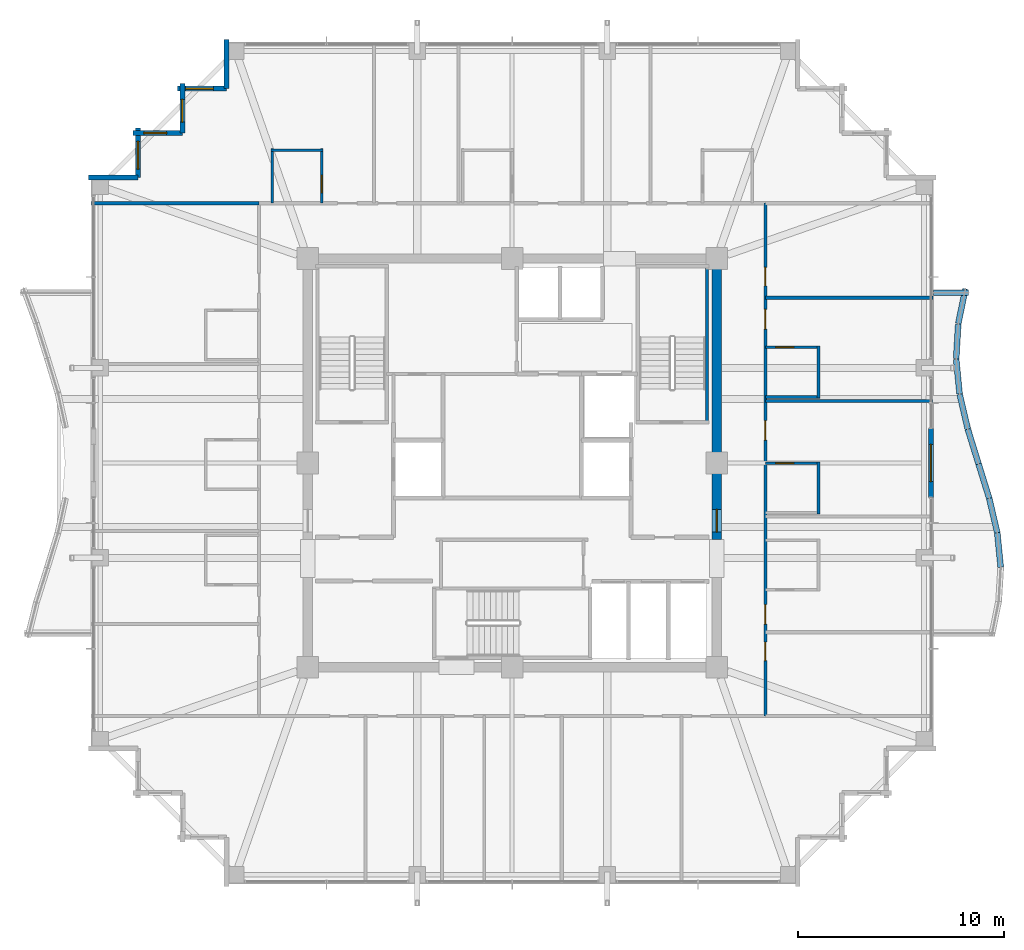
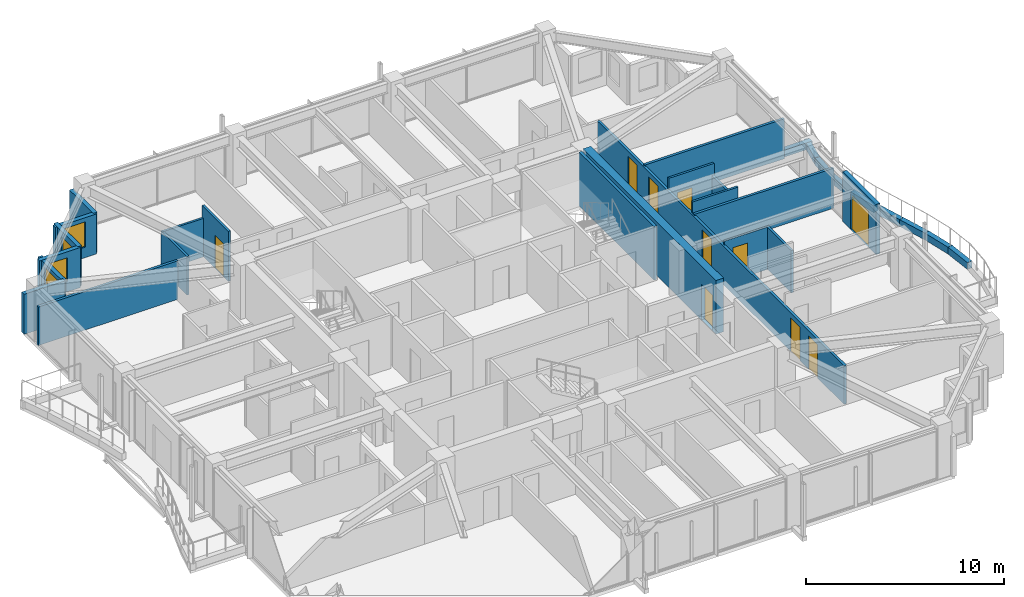
# One storey, part 32 of 35: 30 walls, 10 doors, 4 windows, 14 openings.
"""IFC4 building model written with IfcOpenShell, lengths in metres."""

from ifc_helpers import new_model, si_unit, direction, frame, frame_2d, origin, place, context, subcontext, project, spatial, rectangle, extrude, material, layer, layer_set, type_object, element, fill, save


model = new_model("IFC4")

# Units and contexts
model_context = context("Model", 3, precision=1e-05, world=origin(), true_north=direction((0.0, 1.0)))
body_context = subcontext(model_context, "Body", "Model", "MODEL_VIEW")
ifc_project = project(units=[si_unit("LENGTHUNIT", "METRE"), si_unit("AREAUNIT", "SQUARE_METRE"), si_unit("VOLUMEUNIT", "CUBIC_METRE"), si_unit("PLANEANGLEUNIT", "RADIAN"), si_unit("MASSUNIT", "GRAM", prefix="KILO")], contexts=[model_context])

# Site, building, storey
site_placement = place(None, origin())
site = spatial("IfcSite", under=ifc_project, at=site_placement, CompositionType="ELEMENT")
building_placement = place(site_placement, origin())
building = spatial("IfcBuilding", under=site, at=building_placement, Name="Kolvaren Belvedere", CompositionType="ELEMENT")
storey_placement = place(building_placement, frame((0.0, 0.0, 216.300048828125)))
storey = spatial("IfcBuildingStorey", under=building, at=storey_placement, Name="L63", CompositionType="ELEMENT", Elevation=216.300048828125)

# Wall, opening, door
ifc_material_1 = material(Name="Concrete C50/60", Category="concrete")
ifc_layer_1 = layer(ifc_material_1, 0.449951171875)
ifc_layer_set_1 = layer_set([ifc_layer_1], Name="Concrete C50/60")
wall_type_1 = type_object("IfcWallType", Name="CW-CORE-450", PredefinedType="SHEAR", material=ifc_layer_set_1)
wall_1_placement = place(storey_placement, frame((9.89990234375, -3.699951171875, 0.0), z_axis=(0.0, 0.0, 1.0), x_axis=(0.0, 1.0, 0.0)))
wall_1 = element("IfcWall", 1, at=wall_1_placement, inside=storey, type_object=wall_type_1, Name="L63 East Core Shear Wall 2", PredefinedType="SHEAR", context=body_context, shape_type="SweptSolid", body=[
    extrude(rectangle(XDim=13.375, YDim=0.449951171875, at=frame_2d((6.6875, 0.0))), origin(), (0.0, 0.0, 1.0), 3.300048828125),
])
opening_1_placement = place(wall_1_placement, frame((0.35009765625, 0.0, 0.0)))
opening_1 = element("IfcOpeningElement", 2, at=opening_1_placement, cuts=wall_1, Name="Opening D-FD90", PredefinedType="OPENING", context=body_context, shape_type="SweptSolid", body=[
    extrude(rectangle(XDim=1.10009765625, YDim=2.199951171875, at=frame_2d((0.550048828125, 1.10009765625))), frame((0.0, 0.23486328125, 0.0), z_axis=(0.0, -1.0, 0.0), x_axis=(1.0, 0.0, 0.0)), (0.0, 0.0, 1.0), 0.469970703125),
])
ifc_material_2 = material(Name="Painted hollow stainless steel", Category="steel")
door_type_1 = type_object("IfcDoorType", Name="DR-FD90-1100", OperationType="NOTDEFINED", PredefinedType="DOOR", material=ifc_material_2)
door_1_placement = place(opening_1_placement, origin())
door_1 = element("IfcDoor", 3, at=door_1_placement, inside=storey, type_object=door_type_1, Name="L63 East Firefighting Lobby Fire Door", OperationType="SINGLE_SWING_RIGHT", OverallHeight=2.199951171875, OverallWidth=1.10009765625, PredefinedType="DOOR", context=body_context, shape_type="SweptSolid", body=[
    extrude(rectangle(XDim=1.10009765625, YDim=2.199951171875, at=frame_2d((0.550048828125, 1.10009765625))), frame((0.0, 0.02490234375, 0.0), z_axis=(0.0, -1.0, 0.0), x_axis=(1.0, 0.0, 0.0)), (0.0, 0.0, 1.0), 0.050048828125),
])
fill(opening_1, door_1)

# Wall
ifc_material_3 = material(Name="Concrete C50/60", Category="concrete")
ifc_layer_2 = layer(ifc_material_3, 0.159912109375)
ifc_layer_set_2 = layer_set([ifc_layer_2], Name="Concrete C50/60")
wall_type_2 = type_object("IfcWallType", Name="CW-STAIR-160", PredefinedType="SHEAR", material=ifc_layer_set_2)
wall_2_placement = place(storey_placement, frame((9.429931640625, 1.969970703125, 0.0), z_axis=(0.0, 0.0, 1.0), x_axis=(0.0, 1.0, 0.0)))
element("IfcWall", 4, at=wall_2_placement, inside=storey, type_object=wall_type_2, Name="L63 Stair ST-2 East Shear Wall", PredefinedType="SHEAR", context=body_context, shape_type="SweptSolid", body=[
    extrude(rectangle(XDim=7.56005859375, YDim=0.159912109375, at=frame_2d((3.780029296875, 0.0))), origin(), (0.0, 0.0, 1.0), 3.300048828125),
])

# Wall, openings, doors
ifc_material_4 = material(Name="Gypsum fire-rated partition assembly", Category="gypsum")
ifc_layer_3 = layer(ifc_material_4, 0.14990234375)
ifc_layer_set_3 = layer_set([ifc_layer_3], Name="Gypsum fire-rated partition assembly")
wall_type_3 = type_object("IfcWallType", Name="WL-CORR-150", PredefinedType="PARTITIONING", material=ifc_layer_set_3)
wall_3_placement = place(storey_placement, frame((12.260009765625, -12.260009765625, 0.0), z_axis=(0.0, 0.0, 1.0), x_axis=(0.0, 1.0, 0.0)))
wall_3 = element("IfcWall", 5, at=wall_3_placement, inside=storey, type_object=wall_type_3, Name="L63 East Corridor Wall", PredefinedType="PARTITIONING", context=body_context, shape_type="SweptSolid", body=[
    extrude(rectangle(XDim=24.840087890625, YDim=0.14990234375, at=frame_2d((12.419921875, 0.0))), origin(), (0.0, 0.0, 1.0), 2.368896484375),
])
opening_2_placement = place(wall_3_placement, frame((2.685546875, 0.0, 0.0)))
opening_2 = element("IfcOpeningElement", 6, at=opening_2_placement, cuts=wall_3, Name="Opening D-INT90", PredefinedType="OPENING", context=body_context, shape_type="SweptSolid", body=[
    extrude(rectangle(XDim=0.89990234375, YDim=2.06005859375, at=frame_2d((0.449951171875, 1.030029296875))), frame((0.0, 0.0849609375, 0.0), z_axis=(0.0, -1.0, 0.0), x_axis=(1.0, 0.0, 0.0)), (0.0, 0.0, 1.0), 0.169921875),
])
opening_3_placement = place(wall_3_placement, frame((4.44921875, 0.0, 0.0)))
opening_3 = element("IfcOpeningElement", 7, at=opening_3_placement, cuts=wall_3, Name="Opening D-FD60", PredefinedType="OPENING", context=body_context, shape_type="SweptSolid", body=[
    extrude(rectangle(XDim=0.949951171875, YDim=2.06005859375, at=frame_2d((0.47509765625, 1.030029296875))), frame((0.0, 0.0849609375, 0.0), z_axis=(0.0, -1.0, 0.0), x_axis=(1.0, 0.0, 0.0)), (0.0, 0.0, 1.0), 0.169921875),
])
opening_4_placement = place(wall_3_placement, frame((13.360595703125, 0.0, 0.0)))
opening_4 = element("IfcOpeningElement", 8, at=opening_4_placement, cuts=wall_3, Name="Opening D-FD60", PredefinedType="OPENING", context=body_context, shape_type="SweptSolid", body=[
    extrude(rectangle(XDim=0.949951171875, YDim=2.06005859375, at=frame_2d((0.47509765625, 1.030029296875))), frame((0.0, 0.0849609375, 0.0), z_axis=(0.0, -1.0, 0.0), x_axis=(1.0, 0.0, 0.0)), (0.0, 0.0, 1.0), 0.169921875),
])
opening_5_placement = place(wall_3_placement, frame((18.748046875, 0.0, 0.0)))
opening_5 = element("IfcOpeningElement", 9, at=opening_5_placement, cuts=wall_3, Name="Opening D-FD60", PredefinedType="OPENING", context=body_context, shape_type="SweptSolid", body=[
    extrude(rectangle(XDim=0.949951171875, YDim=2.06005859375, at=frame_2d((0.47509765625, 1.030029296875))), frame((0.0, 0.0849609375, 0.0), z_axis=(0.0, -1.0, 0.0), x_axis=(1.0, 0.0, 0.0)), (0.0, 0.0, 1.0), 0.169921875),
])
opening_6_placement = place(wall_3_placement, frame((20.835693359375, 0.0, 0.0)))
opening_6 = element("IfcOpeningElement", 10, at=opening_6_placement, cuts=wall_3, Name="Opening D-INT90", PredefinedType="OPENING", context=body_context, shape_type="SweptSolid", body=[
    extrude(rectangle(XDim=0.89990234375, YDim=2.06005859375, at=frame_2d((0.449951171875, 1.030029296875))), frame((0.0, 0.0849609375, 0.0), z_axis=(0.0, -1.0, 0.0), x_axis=(1.0, 0.0, 0.0)), (0.0, 0.0, 1.0), 0.169921875),
])
ifc_material_5 = material(Name="Acoustic white-oak fire door leaf", Category="timber")
door_type_2 = type_object("IfcDoorType", Name="DR-FD60-950", OperationType="NOTDEFINED", PredefinedType="DOOR", material=ifc_material_5)
door_2_placement = place(opening_3_placement, origin())
door_2 = element("IfcDoor", 11, at=door_2_placement, inside=storey, type_object=door_type_2, Name="L63 King Guest Room 6306 Entry Door", OperationType="SINGLE_SWING_RIGHT", OverallHeight=2.06005859375, OverallWidth=0.949951171875, PredefinedType="DOOR", context=body_context, shape_type="SweptSolid", body=[
    extrude(rectangle(XDim=0.949951171875, YDim=2.06005859375, at=frame_2d((0.47509765625, 1.030029296875))), frame((0.0, 0.02490234375, 0.0), z_axis=(0.0, -1.0, 0.0), x_axis=(1.0, 0.0, 0.0)), (0.0, 0.0, 1.0), 0.050048828125),
])
fill(opening_3, door_2)
door_3_placement = place(opening_4_placement, origin())
door_3 = element("IfcDoor", 12, at=door_3_placement, inside=storey, type_object=door_type_2, Name="L63 Botanical Hospitality Suite 6307 Entry Door", OperationType="SINGLE_SWING_RIGHT", OverallHeight=2.06005859375, OverallWidth=0.949951171875, PredefinedType="DOOR", context=body_context, shape_type="SweptSolid", body=[
    extrude(rectangle(XDim=0.949951171875, YDim=2.06005859375, at=frame_2d((0.47509765625, 1.030029296875))), frame((0.0, 0.02490234375, 0.0), z_axis=(0.0, -1.0, 0.0), x_axis=(1.0, 0.0, 0.0)), (0.0, 0.0, 1.0), 0.050048828125),
])
fill(opening_4, door_3)
door_4_placement = place(opening_5_placement, origin())
door_4 = element("IfcDoor", 13, at=door_4_placement, inside=storey, type_object=door_type_2, Name="L63 Botanical Hospitality Suite 6308 Entry Door", OperationType="SINGLE_SWING_RIGHT", OverallHeight=2.06005859375, OverallWidth=0.949951171875, PredefinedType="DOOR", context=body_context, shape_type="SweptSolid", body=[
    extrude(rectangle(XDim=0.949951171875, YDim=2.06005859375, at=frame_2d((0.47509765625, 1.030029296875))), frame((0.0, 0.02490234375, 0.0), z_axis=(0.0, -1.0, 0.0), x_axis=(1.0, 0.0, 0.0)), (0.0, 0.0, 1.0), 0.050048828125),
])
fill(opening_5, door_4)
ifc_material_6 = material(Name="Stained Pacific white oak", Category="timber")
door_type_3 = type_object("IfcDoorType", Name="DR-INT-900", OperationType="NOTDEFINED", PredefinedType="DOOR", material=ifc_material_6)
door_5_placement = place(opening_2_placement, origin())
door_5 = element("IfcDoor", 14, at=door_5_placement, inside=storey, type_object=door_type_3, Name="L63 Lounge 6305 Door", OperationType="SINGLE_SWING_RIGHT", OverallHeight=2.06005859375, OverallWidth=0.89990234375, PredefinedType="DOOR", context=body_context, shape_type="SweptSolid", body=[
    extrude(rectangle(XDim=0.89990234375, YDim=2.06005859375, at=frame_2d((0.449951171875, 1.030029296875))), frame((0.0, 0.02490234375, 0.0), z_axis=(0.0, -1.0, 0.0), x_axis=(1.0, 0.0, 0.0)), (0.0, 0.0, 1.0), 0.050048828125),
])
fill(opening_2, door_5)
door_6_placement = place(opening_6_placement, origin())
door_6 = element("IfcDoor", 15, at=door_6_placement, inside=storey, type_object=door_type_3, Name="L63 Lounge 6309 Door", OperationType="SINGLE_SWING_LEFT", OverallHeight=2.06005859375, OverallWidth=0.89990234375, PredefinedType="DOOR", context=body_context, shape_type="SweptSolid", body=[
    extrude(rectangle(XDim=0.89990234375, YDim=2.06005859375, at=frame_2d((0.449951171875, 1.030029296875))), frame((0.0, 0.02490234375, 0.0), z_axis=(0.0, -1.0, 0.0), x_axis=(1.0, 0.0, 0.0)), (0.0, 0.0, 1.0), 0.050048828125),
])
fill(opening_6, door_6)

# Wall, opening, door
ifc_material_7 = material(Name="Insulated pale-metal facade wall assembly", Category="aluminium")
ifc_layer_4 = layer(ifc_material_7, 0.239990234375)
ifc_layer_set_4 = layer_set([ifc_layer_4], Name="Insulated pale-metal facade wall assembly")
wall_type_4 = type_object("IfcWallType", Name="WL-EXT-240", PredefinedType="STANDARD", material=ifc_layer_set_4)
wall_4_placement = place(storey_placement, frame((20.280029296875, 1.679931640625, 0.0), z_axis=(0.0, 0.0, 1.0), x_axis=(0.0, -1.0, 0.0)))
wall_4 = element("IfcWall", 16, at=wall_4_placement, inside=storey, type_object=wall_type_4, Name="L63 East Terrace Portal Wall", PredefinedType="STANDARD", context=body_context, shape_type="SweptSolid", body=[
    extrude(rectangle(XDim=3.35986328125, YDim=0.239990234375, at=frame_2d((1.679931640625, 0.0))), origin(), (0.0, 0.0, 1.0), 3.079833984375),
])
opening_7_placement = place(wall_4_placement, frame((0.780029296875, 0.0, 0.0)))
opening_7 = element("IfcOpeningElement", 17, at=opening_7_placement, cuts=wall_4, Name="Opening DB-1800", PredefinedType="OPENING", context=body_context, shape_type="SweptSolid", body=[
    extrude(rectangle(XDim=1.800048828125, YDim=2.199951171875, at=frame_2d((0.89990234375, 1.10009765625))), frame((0.0, 0.1298828125, 0.0), z_axis=(0.0, -1.0, 0.0), x_axis=(1.0, 0.0, 0.0)), (0.0, 0.0, 1.0), 0.260009765625),
])
ifc_material_8 = material(Name="Thermally broken pale-metal aluminium & low-iron glass", Category="aluminium")
door_type_4 = type_object("IfcDoorType", Name="DR-BAL-1800", OperationType="DOUBLE_DOOR_SLIDING", PredefinedType="DOOR", material=ifc_material_8)
door_7_placement = place(opening_7_placement, origin())
door_7 = element("IfcDoor", 18, at=door_7_placement, inside=storey, type_object=door_type_4, Name="L63 East Planted Terrace Sliding Door", OperationType="DOUBLE_DOOR_SLIDING", OverallHeight=2.199951171875, OverallWidth=1.800048828125, PredefinedType="DOOR", context=body_context, shape_type="SweptSolid", body=[
    extrude(rectangle(XDim=1.800048828125, YDim=2.199951171875, at=frame_2d((0.89990234375, 1.10009765625))), frame((0.0, 0.02490234375, 0.0), z_axis=(0.0, -1.0, 0.0), x_axis=(1.0, 0.0, 0.0)), (0.0, 0.0, 1.0), 0.050048828125),
])
fill(opening_7, door_7)

# Wall
wall_5_placement = place(storey_placement, frame((-13.830078125, 18.1298828125, 0.0), z_axis=(0.0, 0.0, 1.0), x_axis=(0.0, 1.0, 0.0)))
element("IfcWall", 19, at=wall_5_placement, inside=storey, type_object=wall_type_4, Name="L63 Serrated Corner Facade Wall 16", PredefinedType="STANDARD", context=body_context, shape_type="SweptSolid", body=[
    extrude(rectangle(XDim=2.39013671875, YDim=0.239990234375, at=frame_2d((1.195068359375, 0.0))), origin(), (0.0, 0.0, 1.0), 2.462890625),
])

# Wall, opening, window
wall_6_placement = place(storey_placement, frame((-16.219970703125, 18.1298828125, 0.0), z_axis=(0.0, 0.0, 1.0), x_axis=(1.0, 0.0, 0.0)))
wall_6 = element("IfcWall", 20, at=wall_6_placement, inside=storey, type_object=wall_type_4, Name="L63 Serrated Corner Facade Wall 17", PredefinedType="STANDARD", context=body_context, shape_type="SweptSolid", body=[
    extrude(rectangle(XDim=2.389892578125, YDim=0.239990234375, at=frame_2d((1.19482421875, 0.0))), origin(), (0.0, 0.0, 1.0), 2.462890625),
])
opening_8_placement = place(wall_6_placement, frame((0.39990234375, 0.0, 0.64990234375)))
opening_8 = element("IfcOpeningElement", 21, at=opening_8_placement, cuts=wall_6, Name="Opening W-1350", PredefinedType="OPENING", context=body_context, shape_type="SweptSolid", body=[
    extrude(rectangle(XDim=1.35009765625, YDim=1.550048828125, at=frame_2d((0.675048828125, 0.77490234375))), frame((0.0, 0.1298828125, 0.0), z_axis=(0.0, -1.0, 0.0), x_axis=(1.0, 0.0, 0.0)), (0.0, 0.0, 1.0), 0.260009765625),
])
ifc_material_9 = material(Name="Low-iron triple insulated glass", Category="glass")
window_type_1 = type_object("IfcWindowType", Name="WN-CORN-1350", PartitioningType="SINGLE_PANEL", PredefinedType="WINDOW", material=ifc_material_9)
window_1_placement = place(opening_8_placement, origin())
window_1 = element("IfcWindow", 22, at=window_1_placement, inside=storey, type_object=window_type_1, Name="L63 Serrated Corner Vision Window 17", OverallHeight=1.550048828125, OverallWidth=1.35009765625, PartitioningType="SINGLE_PANEL", PredefinedType="WINDOW", context=body_context, shape_type="SweptSolid", body=[
    extrude(rectangle(XDim=1.35009765625, YDim=1.550048828125, at=frame_2d((0.675048828125, 0.77490234375))), frame((0.0, 0.030029296875, 0.0), z_axis=(0.0, -1.0, 0.0), x_axis=(1.0, 0.0, 0.0)), (0.0, 0.0, 1.0), 0.06005859375),
])
fill(opening_8, window_1)

wall_7_placement = place(storey_placement, frame((-15.97998046875, 15.97998046875, 0.0), z_axis=(0.0, 0.0, 1.0), x_axis=(0.0, 1.0, 0.0)))
wall_7 = element("IfcWall", 23, at=wall_7_placement, inside=storey, type_object=wall_type_4, Name="L63 Serrated Corner Facade Wall 18", PredefinedType="STANDARD", context=body_context, shape_type="SweptSolid", body=[
    extrude(rectangle(XDim=2.39013671875, YDim=0.239990234375, at=frame_2d((1.195068359375, 0.0))), origin(), (0.0, 0.0, 1.0), 2.462890625),
])
opening_9_placement = place(wall_7_placement, frame((0.52490234375, 0.0, 0.64990234375)))
opening_9 = element("IfcOpeningElement", 24, at=opening_9_placement, cuts=wall_7, Name="Opening W-1100", PredefinedType="OPENING", context=body_context, shape_type="SweptSolid", body=[
    extrude(rectangle(XDim=1.10009765625, YDim=1.449951171875, at=frame_2d((0.550048828125, 0.72509765625))), frame((0.0, 0.1298828125, 0.0), z_axis=(0.0, -1.0, 0.0), x_axis=(1.0, 0.0, 0.0)), (0.0, 0.0, 1.0), 0.260009765625),
])
ifc_material_10 = material(Name="Low-iron triple insulated glass", Category="glass")
window_type_2 = type_object("IfcWindowType", Name="WN-CORN-1100", PartitioningType="SINGLE_PANEL", PredefinedType="WINDOW", material=ifc_material_10)
window_2_placement = place(opening_9_placement, origin())
window_2 = element("IfcWindow", 25, at=window_2_placement, inside=storey, type_object=window_type_2, Name="L63 Serrated Corner Vision Window 18", OverallHeight=1.449951171875, OverallWidth=1.10009765625, PartitioningType="SINGLE_PANEL", PredefinedType="WINDOW", context=body_context, shape_type="SweptSolid", body=[
    extrude(rectangle(XDim=1.10009765625, YDim=1.449951171875, at=frame_2d((0.550048828125, 0.72509765625))), frame((0.0, 0.030029296875, 0.0), z_axis=(0.0, -1.0, 0.0), x_axis=(1.0, 0.0, 0.0)), (0.0, 0.0, 1.0), 0.06005859375),
])
fill(opening_9, window_2)

wall_8_placement = place(storey_placement, frame((-18.3701171875, 15.97998046875, 0.0), z_axis=(0.0, 0.0, 1.0), x_axis=(1.0, 0.0, 0.0)))
wall_8 = element("IfcWall", 26, at=wall_8_placement, inside=storey, type_object=wall_type_4, Name="L63 Serrated Corner Facade Wall 19", PredefinedType="STANDARD", context=body_context, shape_type="SweptSolid", body=[
    extrude(rectangle(XDim=2.39013671875, YDim=0.239990234375, at=frame_2d((1.195068359375, 0.0))), origin(), (0.0, 0.0, 1.0), 2.462890625),
])
opening_10_placement = place(wall_8_placement, frame((0.52490234375, 0.0, 0.64990234375)))
opening_10 = element("IfcOpeningElement", 27, at=opening_10_placement, cuts=wall_8, Name="Opening W-1100", PredefinedType="OPENING", context=body_context, shape_type="SweptSolid", body=[
    extrude(rectangle(XDim=1.10009765625, YDim=1.449951171875, at=frame_2d((0.550048828125, 0.72509765625))), frame((0.0, 0.1298828125, 0.0), z_axis=(0.0, -1.0, 0.0), x_axis=(1.0, 0.0, 0.0)), (0.0, 0.0, 1.0), 0.260009765625),
])
window_3_placement = place(opening_10_placement, origin())
window_3 = element("IfcWindow", 28, at=window_3_placement, inside=storey, type_object=window_type_2, Name="L63 Serrated Corner Vision Window 19", OverallHeight=1.449951171875, OverallWidth=1.10009765625, PartitioningType="SINGLE_PANEL", PredefinedType="WINDOW", context=body_context, shape_type="SweptSolid", body=[
    extrude(rectangle(XDim=1.10009765625, YDim=1.449951171875, at=frame_2d((0.550048828125, 0.72509765625))), frame((0.0, 0.030029296875, 0.0), z_axis=(0.0, -1.0, 0.0), x_axis=(1.0, 0.0, 0.0)), (0.0, 0.0, 1.0), 0.06005859375),
])
fill(opening_10, window_3)

wall_9_placement = place(storey_placement, frame((-18.1298828125, 13.830078125, 0.0), z_axis=(0.0, 0.0, 1.0), x_axis=(0.0, 1.0, 0.0)))
wall_9 = element("IfcWall", 29, at=wall_9_placement, inside=storey, type_object=wall_type_4, Name="L63 Serrated Corner Facade Wall 20", PredefinedType="STANDARD", context=body_context, shape_type="SweptSolid", body=[
    extrude(rectangle(XDim=2.389892578125, YDim=0.239990234375, at=frame_2d((1.19482421875, 0.0))), origin(), (0.0, 0.0, 1.0), 2.462890625),
])
opening_11_placement = place(wall_9_placement, frame((0.39990234375, 0.0, 0.64990234375)))
opening_11 = element("IfcOpeningElement", 30, at=opening_11_placement, cuts=wall_9, Name="Opening W-1350", PredefinedType="OPENING", context=body_context, shape_type="SweptSolid", body=[
    extrude(rectangle(XDim=1.35009765625, YDim=1.550048828125, at=frame_2d((0.675048828125, 0.77490234375))), frame((0.0, 0.1298828125, 0.0), z_axis=(0.0, -1.0, 0.0), x_axis=(1.0, 0.0, 0.0)), (0.0, 0.0, 1.0), 0.260009765625),
])
window_4_placement = place(opening_11_placement, origin())
window_4 = element("IfcWindow", 31, at=window_4_placement, inside=storey, type_object=window_type_1, Name="L63 Serrated Corner Vision Window 20", OverallHeight=1.550048828125, OverallWidth=1.35009765625, PartitioningType="SINGLE_PANEL", PredefinedType="WINDOW", context=body_context, shape_type="SweptSolid", body=[
    extrude(rectangle(XDim=1.35009765625, YDim=1.550048828125, at=frame_2d((0.675048828125, 0.77490234375))), frame((0.0, 0.030029296875, 0.0), z_axis=(0.0, -1.0, 0.0), x_axis=(1.0, 0.0, 0.0)), (0.0, 0.0, 1.0), 0.06005859375),
])
fill(opening_11, window_4)

# Walls
wall_10_placement = place(storey_placement, frame((-20.52001953125, 13.830078125, 0.0), z_axis=(0.0, 0.0, 1.0), x_axis=(1.0, 0.0, 0.0)))
element("IfcWall", 32, at=wall_10_placement, inside=storey, type_object=wall_type_4, Name="L63 Serrated Corner Facade Wall 21", PredefinedType="STANDARD", context=body_context, shape_type="SweptSolid", body=[
    extrude(rectangle(XDim=2.39013671875, YDim=0.239990234375, at=frame_2d((1.195068359375, 0.0))), origin(), (0.0, 0.0, 1.0), 2.462890625),
])
ifc_material_11 = material(Name="Gypsum acoustic partition assembly", Category="gypsum")
ifc_layer_5 = layer(ifc_material_11, 0.14990234375)
ifc_layer_set_5 = layer_set([ifc_layer_5], Name="Gypsum acoustic partition assembly")
wall_type_5 = type_object("IfcWallType", Name="WL-PART-150", PredefinedType="PARTITIONING", material=ifc_layer_set_5)
wall_11_placement = place(storey_placement, frame((-20.3798828125, 12.580078125, 0.0), z_axis=(0.0, 0.0, 1.0), x_axis=(1.0, 0.0, 0.0)))
element("IfcWall", 33, at=wall_11_placement, inside=storey, type_object=wall_type_5, Name="L63 Wing Divider PW-L63-QNW", PredefinedType="PARTITIONING", context=body_context, shape_type="SweptSolid", body=[
    extrude(rectangle(XDim=8.119873046875, YDim=0.14990234375, at=frame_2d((4.06005859375, 0.0))), origin(), (0.0, 0.0, 1.0), 2.368896484375),
])
for number, where, z_axis, x_axis, name in (
    (34, (12.260009765625, 3.0, 0.0), (0.0, 0.0, 1.0), (1.0, 0.0, 0.0), "L63 East Suite Demising Wall 3"),
    (35, (12.260009765625, 8.0, 0.0), (0.0, 0.0, 1.0), (1.0, 0.0, 0.0), "L63 East Suite Demising Wall 4"),
):
    element("IfcWall", number, at=place(storey_placement, frame(where, z_axis=z_axis, x_axis=x_axis)), inside=storey, type_object=wall_type_5, Name=name, PredefinedType="PARTITIONING", context=body_context, shape_type="SweptSolid", body=[
        extrude(rectangle(XDim=8.119873046875, YDim=0.14990234375, at=frame_2d((4.06005859375, 0.0))), origin(), (0.0, 0.0, 1.0), 2.452880859375),
    ])
ifc_material_12 = material(Name="Precast concrete C40/50", Category="concrete")
ifc_layer_6 = layer(ifc_material_12, 0.300048828125)
ifc_layer_set_6 = layer_set([ifc_layer_6], Name="Precast concrete C40/50")
wall_type_6 = type_object("IfcWallType", Name="WL-PLANTER-300", PredefinedType="PARAPET", material=ifc_layer_set_6)
wall_12_placement = place(storey_placement, frame((23.660888671875, -5.055908203125, -0.0400390625), z_axis=(0.0, 0.0, 1.0), x_axis=(-0.099632573776, 0.995024296308, 0.0)))
element("IfcWall", 36, at=wall_12_placement, inside=storey, type_object=wall_type_6, Name="L63 Precast Structural Planter Wall BAL-E-3", PredefinedType="PARAPET", context=body_context, shape_type="SweptSolid", body=[
    extrude(rectangle(XDim=1.688232421875, YDim=0.280029296875, at=frame_2d((0.84423828125, 0.0))), origin(), (0.0, 0.0, 1.0), 0.419921875),
])
wall_13_placement = place(storey_placement, frame((23.49609375, -3.396240234375, -0.0400390625), z_axis=(0.0, 0.0, 1.0), x_axis=(-0.227019323824, 0.973890253884, 0.0)))
element("IfcWall", 37, at=wall_13_placement, inside=storey, type_object=wall_type_6, Name="L63 Precast Structural Planter Wall BAL-E-4", PredefinedType="PARAPET", context=body_context, shape_type="SweptSolid", body=[
    extrude(rectangle(XDim=1.724853515625, YDim=0.280029296875, at=frame_2d((0.8623046875, 0.0))), origin(), (0.0, 0.0, 1.0), 0.419921875),
])
wall_14_placement = place(storey_placement, frame((23.107421875, -1.727294921875, -0.0400390625), z_axis=(0.0, 0.0, 1.0), x_axis=(-0.295831524561, 0.95524013163, 0.0)))
element("IfcWall", 38, at=wall_14_placement, inside=storey, type_object=wall_type_6, Name="L63 Precast Structural Planter Wall BAL-E-5", PredefinedType="PARAPET", context=body_context, shape_type="SweptSolid", body=[
    extrude(rectangle(XDim=1.758544921875, YDim=0.280029296875, at=frame_2d((0.87939453125, 0.0))), origin(), (0.0, 0.0, 1.0), 0.419921875),
])
wall_15_placement = place(storey_placement, frame((22.587158203125, -0.04736328125, -0.0400390625), z_axis=(0.0, 0.0, 1.0), x_axis=(-0.29579229954, 0.955252278476, 0.0)))
element("IfcWall", 39, at=wall_15_placement, inside=storey, type_object=wall_type_6, Name="L63 Precast Structural Planter Wall BAL-E-6", PredefinedType="PARAPET", context=body_context, shape_type="SweptSolid", body=[
    extrude(rectangle(XDim=1.7587890625, YDim=0.280029296875, at=frame_2d((0.87939453125, 0.0))), origin(), (0.0, 0.0, 1.0), 0.419921875),
])
wall_16_placement = place(storey_placement, frame((22.06396484375, 1.643798828125, -0.0400390625), z_axis=(0.0, 0.0, 1.0), x_axis=(-0.227019323824, 0.973890253884, 0.0)))
element("IfcWall", 40, at=wall_16_placement, inside=storey, type_object=wall_type_6, Name="L63 Precast Structural Planter Wall BAL-E-7", PredefinedType="PARAPET", context=body_context, shape_type="SweptSolid", body=[
    extrude(rectangle(XDim=1.724853515625, YDim=0.280029296875, at=frame_2d((0.8623046875, 0.0))), origin(), (0.0, 0.0, 1.0), 0.419921875),
])
wall_17_placement = place(storey_placement, frame((21.6689453125, 3.34423828125, -0.0400390625), z_axis=(0.0, 0.0, 1.0), x_axis=(-0.098329649867, 0.995153897624, 0.0)))
element("IfcWall", 41, at=wall_17_placement, inside=storey, type_object=wall_type_6, Name="L63 Precast Structural Planter Wall BAL-E-8", PredefinedType="PARAPET", context=body_context, shape_type="SweptSolid", body=[
    extrude(rectangle(XDim=1.6884765625, YDim=0.280029296875, at=frame_2d((0.84423828125, 0.0))), origin(), (0.0, 0.0, 1.0), 0.419921875),
])
wall_18_placement = place(storey_placement, frame((21.50244140625, 5.049560546875, -0.0400390625), z_axis=(0.0, 0.0, 1.0), x_axis=(0.059767979379, 0.998212296378, 0.0)))
element("IfcWall", 42, at=wall_18_placement, inside=storey, type_object=wall_type_6, Name="L63 Precast Structural Planter Wall BAL-E-9", PredefinedType="PARAPET", context=body_context, shape_type="SweptSolid", body=[
    extrude(rectangle(XDim=1.682861328125, YDim=0.280029296875, at=frame_2d((0.84130859375, 0.0))), origin(), (0.0, 0.0, 1.0), 0.419921875),
])
wall_19_placement = place(storey_placement, frame((21.60595703125, 6.751953125, -0.0400390625), z_axis=(0.0, 0.0, 1.0), x_axis=(0.199784246163, 0.979839912937, 0.0)))
element("IfcWall", 43, at=wall_19_placement, inside=storey, type_object=wall_type_6, Name="L63 Precast Structural Planter Wall BAL-E-10", PredefinedType="PARAPET", context=body_context, shape_type="SweptSolid", body=[
    extrude(rectangle(XDim=1.714599609375, YDim=0.280029296875, at=frame_2d((0.857421875, 0.0))), origin(), (0.0, 0.0, 1.0), 0.419921875),
])
wall_20_placement = place(storey_placement, frame((22.105224609375, 8.239990234375, -0.0400390625), z_axis=(0.0, 0.0, 1.0), x_axis=(-1.0, 0.0, 0.0)))
element("IfcWall", 44, at=wall_20_placement, inside=storey, type_object=wall_type_6, Name="L63 Precast Structural Planter Wall BAL-E-11", PredefinedType="PARAPET", context=body_context, shape_type="SweptSolid", body=[
    extrude(rectangle(XDim=1.705322265625, YDim=0.280029296875, at=frame_2d((0.8525390625, 0.0))), origin(), (0.0, 0.0, 1.0), 0.419921875),
])

# Wall, opening, door
ifc_material_13 = material(Name="Moisture-resistant gypsum partition", Category="gypsum")
ifc_layer_7 = layer(ifc_material_13, 0.125)
ifc_layer_set_7 = layer_set([ifc_layer_7], Name="Moisture-resistant gypsum partition")
wall_type_7 = type_object("IfcWallType", Name="WL-WET-125", PredefinedType="PARTITIONING", material=ifc_layer_set_7)
wall_21_placement = place(storey_placement, frame((12.27490234375, -0.0048828125, 0.0), z_axis=(0.0, 0.0, 1.0), x_axis=(1.0, 0.0, 0.0)))
wall_21 = element("IfcWall", 45, at=wall_21_placement, inside=storey, type_object=wall_type_7, Name="L63 Bathroom Partition PW-L63-BTH-7-N", PredefinedType="PARTITIONING", context=body_context, shape_type="SweptSolid", body=[
    extrude(rectangle(XDim=2.64013671875, YDim=0.125, at=frame_2d((1.320068359375, 0.0))), origin(), (0.0, 0.0, 1.0), 2.60498046875),
])
opening_12_placement = place(wall_21_placement, frame((0.5, 0.0, 0.0)))
opening_12 = element("IfcOpeningElement", 46, at=opening_12_placement, cuts=wall_21, Name="Opening D-BTH85", PredefinedType="OPENING", context=body_context, shape_type="SweptSolid", body=[
    extrude(rectangle(XDim=0.85009765625, YDim=2.030029296875, at=frame_2d((0.425048828125, 1.01513671875))), frame((0.0, 0.072509765625, 0.0), z_axis=(0.0, -1.0, 0.0), x_axis=(1.0, 0.0, 0.0)), (0.0, 0.0, 1.0), 0.14501953125),
])
ifc_material_14 = material(Name="Moisture-sealed Pacific white oak", Category="timber")
door_type_5 = type_object("IfcDoorType", Name="DR-BATH-850", OperationType="NOTDEFINED", PredefinedType="DOOR", material=ifc_material_14)
door_8_placement = place(opening_12_placement, origin())
door_8 = element("IfcDoor", 47, at=door_8_placement, inside=storey, type_object=door_type_5, Name="L63 En-Suite Bathroom 6307 Door", OperationType="SINGLE_SWING_LEFT", OverallHeight=2.030029296875, OverallWidth=0.85009765625, PredefinedType="DOOR", context=body_context, shape_type="SweptSolid", body=[
    extrude(rectangle(XDim=0.85009765625, YDim=2.030029296875, at=frame_2d((0.425048828125, 1.01513671875))), frame((0.0, 0.02490234375, 0.0), z_axis=(0.0, -1.0, 0.0), x_axis=(1.0, 0.0, 0.0)), (0.0, 0.0, 1.0), 0.050048828125),
])
fill(opening_12, door_8)

# Wall
wall_22_placement = place(storey_placement, frame((14.8349609375, -2.465087890625, 0.0), z_axis=(0.0, 0.0, 1.0), x_axis=(0.0, 1.0, 0.0)))
element("IfcWall", 48, at=wall_22_placement, inside=storey, type_object=wall_type_7, Name="L63 Bathroom Partition PW-L63-BTH-7-V", PredefinedType="PARTITIONING", context=body_context, shape_type="SweptSolid", body=[
    extrude(rectangle(XDim=2.52001953125, YDim=0.125, at=frame_2d((1.260009765625, 0.0))), origin(), (0.0, 0.0, 1.0), 2.60498046875),
])

# Wall, opening, door
wall_23_placement = place(storey_placement, frame((12.27490234375, 5.594970703125, 0.0), z_axis=(0.0, 0.0, 1.0), x_axis=(1.0, 0.0, 0.0)))
wall_23 = element("IfcWall", 49, at=wall_23_placement, inside=storey, type_object=wall_type_7, Name="L63 Bathroom Partition PW-L63-BTH-8-N", PredefinedType="PARTITIONING", context=body_context, shape_type="SweptSolid", body=[
    extrude(rectangle(XDim=2.64013671875, YDim=0.125, at=frame_2d((1.320068359375, 0.0))), origin(), (0.0, 0.0, 1.0), 3.079833984375),
])
opening_13_placement = place(wall_23_placement, frame((0.5, 0.0, 0.0)))
opening_13 = element("IfcOpeningElement", 50, at=opening_13_placement, cuts=wall_23, Name="Opening D-BTH85", PredefinedType="OPENING", context=body_context, shape_type="SweptSolid", body=[
    extrude(rectangle(XDim=0.85009765625, YDim=2.030029296875, at=frame_2d((0.425048828125, 1.01513671875))), frame((0.0, 0.072509765625, 0.0), z_axis=(0.0, -1.0, 0.0), x_axis=(1.0, 0.0, 0.0)), (0.0, 0.0, 1.0), 0.14501953125),
])
door_9_placement = place(opening_13_placement, origin())
door_9 = element("IfcDoor", 51, at=door_9_placement, inside=storey, type_object=door_type_5, Name="L63 En-Suite Bathroom 6308 Door", OperationType="SINGLE_SWING_LEFT", OverallHeight=2.030029296875, OverallWidth=0.85009765625, PredefinedType="DOOR", context=body_context, shape_type="SweptSolid", body=[
    extrude(rectangle(XDim=0.85009765625, YDim=2.030029296875, at=frame_2d((0.425048828125, 1.01513671875))), frame((0.0, 0.02490234375, 0.0), z_axis=(0.0, -1.0, 0.0), x_axis=(1.0, 0.0, 0.0)), (0.0, 0.0, 1.0), 0.050048828125),
])
fill(opening_13, door_9)

# Walls
wall_24_placement = place(storey_placement, frame((14.8349609375, 3.135009765625, 0.0), z_axis=(0.0, 0.0, 1.0), x_axis=(0.0, 1.0, 0.0)))
element("IfcWall", 52, at=wall_24_placement, inside=storey, type_object=wall_type_7, Name="L63 Bathroom Partition PW-L63-BTH-8-V", PredefinedType="PARTITIONING", context=body_context, shape_type="SweptSolid", body=[
    extrude(rectangle(XDim=2.52001953125, YDim=0.125, at=frame_2d((1.260009765625, 0.0))), origin(), (0.0, 0.0, 1.0), 2.368896484375),
])
wall_25_placement = place(storey_placement, frame((12.27490234375, 3.195068359375, 0.0), z_axis=(0.0, 0.0, 1.0), x_axis=(1.0, 0.0, 0.0)))
element("IfcWall", 53, at=wall_25_placement, inside=storey, type_object=wall_type_7, Name="L63 Bathroom Partition PW-L63-BTH-8-S", PredefinedType="PARTITIONING", context=body_context, shape_type="SweptSolid", body=[
    extrude(rectangle(XDim=2.64013671875, YDim=0.125, at=frame_2d((1.320068359375, 0.0))), origin(), (0.0, 0.0, 1.0), 3.079833984375),
])

# Wall, opening, door
wall_26_placement = place(storey_placement, frame((-9.218017578125, 12.594970703125, 0.0), z_axis=(0.0, 0.0, 1.0), x_axis=(0.0, 1.0, 0.0)))
wall_26 = element("IfcWall", 54, at=wall_26_placement, inside=storey, type_object=wall_type_7, Name="L63 Bathroom Partition PW-L63-BTH-14-E", PredefinedType="PARTITIONING", context=body_context, shape_type="SweptSolid", body=[
    extrude(rectangle(XDim=2.64013671875, YDim=0.125, at=frame_2d((1.320068359375, 0.0))), origin(), (0.0, 0.0, 1.0), 3.079833984375),
])
opening_14_placement = place(wall_26_placement, frame((0.5, 0.0, 0.0)))
opening_14 = element("IfcOpeningElement", 55, at=opening_14_placement, cuts=wall_26, Name="Opening D-BTH85", PredefinedType="OPENING", context=body_context, shape_type="SweptSolid", body=[
    extrude(rectangle(XDim=0.85009765625, YDim=2.030029296875, at=frame_2d((0.425048828125, 1.01513671875))), frame((0.0, 0.072509765625, 0.0), z_axis=(0.0, -1.0, 0.0), x_axis=(1.0, 0.0, 0.0)), (0.0, 0.0, 1.0), 0.14501953125),
])
door_10_placement = place(opening_14_placement, origin())
door_10 = element("IfcDoor", 56, at=door_10_placement, inside=storey, type_object=door_type_5, Name="L63 En-Suite Bathroom 6314 Door", OperationType="SINGLE_SWING_LEFT", OverallHeight=2.030029296875, OverallWidth=0.85009765625, PredefinedType="DOOR", context=body_context, shape_type="SweptSolid", body=[
    extrude(rectangle(XDim=0.85009765625, YDim=2.030029296875, at=frame_2d((0.425048828125, 1.01513671875))), frame((0.0, 0.02490234375, 0.0), z_axis=(0.0, -1.0, 0.0), x_axis=(1.0, 0.0, 0.0)), (0.0, 0.0, 1.0), 0.050048828125),
])
fill(opening_14, door_10)

# Walls
wall_27_placement = place(storey_placement, frame((-11.677978515625, 15.155029296875, 0.0), z_axis=(0.0, 0.0, 1.0), x_axis=(1.0, 0.0, 0.0)))
element("IfcWall", 57, at=wall_27_placement, inside=storey, type_object=wall_type_7, Name="L63 Bathroom Partition PW-L63-BTH-14-H", PredefinedType="PARTITIONING", context=body_context, shape_type="SweptSolid", body=[
    extrude(rectangle(XDim=2.52001953125, YDim=0.125, at=frame_2d((1.260009765625, 0.0))), origin(), (0.0, 0.0, 1.0), 2.368896484375),
])
wall_28_placement = place(storey_placement, frame((-11.617919921875, 12.594970703125, 0.0), z_axis=(0.0, 0.0, 1.0), x_axis=(0.0, 1.0, 0.0)))
element("IfcWall", 58, at=wall_28_placement, inside=storey, type_object=wall_type_7, Name="L63 Bathroom Partition PW-L63-BTH-14-W", PredefinedType="PARTITIONING", context=body_context, shape_type="SweptSolid", body=[
    extrude(rectangle(XDim=2.64013671875, YDim=0.125, at=frame_2d((1.320068359375, 0.0))), origin(), (0.0, 0.0, 1.0), 2.368896484375),
])

save(model, "model.ifc")
